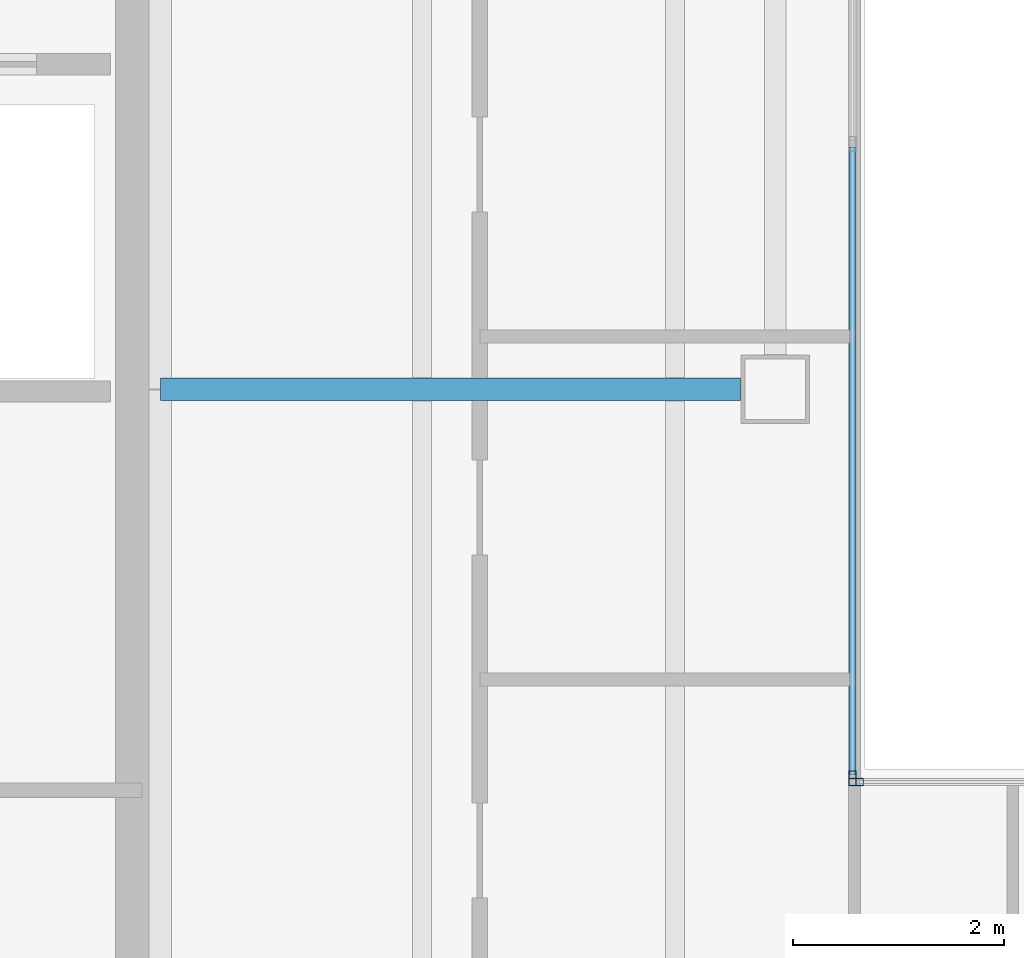
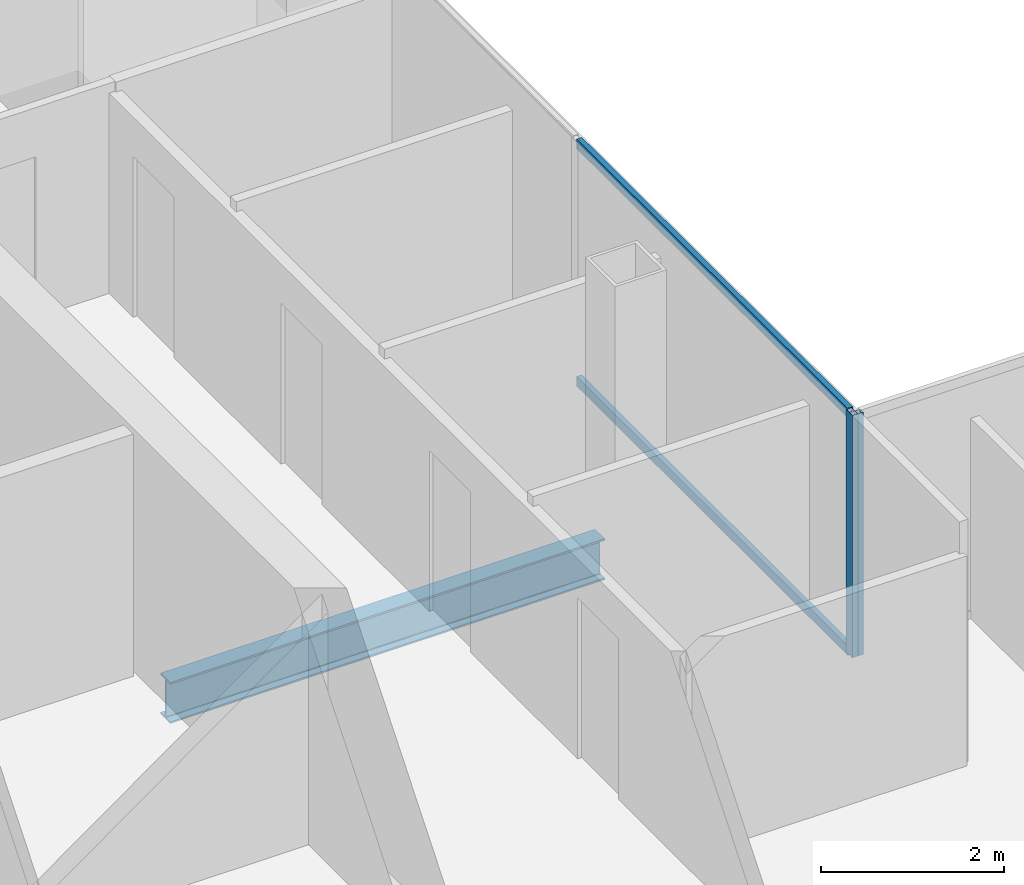
# One storey, part 8 of 23: 4 members, 1 beam, 2 elements without a shape of their own.
"""IFC4 building model written with IfcOpenShell, lengths in metres."""

from ifc_helpers import new_model, si_unit, direction, frame, origin, origin_2d, place, context, subcontext, project, spatial, hollow_rectangle, i_section, extrude, material, material_profile, profile_set, type_object, element, aggregate, save


model = new_model("IFC4")

# Units and contexts
model_context = context("Model", 3, precision=1e-05, world=origin(), true_north=direction((0.0, 1.0)))
body_context = subcontext(model_context, "Body", "Model", "MODEL_VIEW")
ifc_project = project(units=[si_unit("LENGTHUNIT", "METRE"), si_unit("AREAUNIT", "SQUARE_METRE"), si_unit("VOLUMEUNIT", "CUBIC_METRE"), si_unit("PLANEANGLEUNIT", "RADIAN"), si_unit("MASSUNIT", "GRAM", prefix="KILO")], contexts=[model_context])

# Site, building, storey
site_placement = place(None, origin())
site = spatial("IfcSite", under=ifc_project, at=site_placement, CompositionType="ELEMENT")
building_placement = place(site_placement, origin())
building = spatial("IfcBuilding", under=site, at=building_placement, Name="Cobrela Telecom Tower", CompositionType="ELEMENT")
storey_placement = place(building_placement, frame((0.0, 0.0, 286.64990234375)))
storey = spatial("IfcBuildingStorey", under=building, at=storey_placement, Name="L75", CompositionType="ELEMENT", Elevation=286.64990234375)

# Beam
ifc_material_1 = material(Name="Steel ASTM A992 Grade 50", Category="steel")
ifc_material_profile_1 = material_profile(ifc_material_1, i_section(OverallWidth=0.212890625, OverallDepth=0.549072265625, WebThickness=0.0146484375, FlangeThickness=0.023681640625, FilletRadius=0.013916015625, at=origin_2d()), Name="W21X93")
ifc_profile_set_1 = profile_set([ifc_material_profile_1], Name="Steel ASTM A992 Grade 50")
beam_type = type_object("IfcBeamType", Name="BM-GIRD-08", PredefinedType="USERDEFINED", material=ifc_profile_set_1)
beam_placement = place(storey_placement, frame((14.324951171875, 28.800048828125, -0.534423828125), z_axis=(1.0, 0.0, 0.0), x_axis=(0.0, 1.0, 0.0)))
element("IfcBeam", 1, at=beam_placement, inside=storey, type_object=beam_type, Name="L75 Primary Girder X15", ObjectType="GIRDER", PredefinedType="USERDEFINED", context=body_context, shape_type="SweptSolid", body=[
    extrude(i_section(OverallWidth=0.212890625, OverallDepth=0.549072265625, WebThickness=0.0146484375, FlangeThickness=0.023681640625, FilletRadius=0.013916015625, at=origin_2d()), origin(), (0.0, 0.0, 1.0), 5.4951171875),
])

# Curtain wall, member
ifc_material_2 = material(Name="Anodized Bronze Aluminium 6063-T6", Category="aluminium")
curtain_wall_type = type_object("IfcCurtainWallType", Name="CW-SYS-OFF-HI", PredefinedType="USERDEFINED", material=ifc_material_2)
curtain_wall_1_placement = place(storey_placement, origin())
curtain_wall_1 = element("IfcCurtainWall", 2, at=curtain_wall_1_placement, inside=storey, type_object=curtain_wall_type, Name="L75 Unitised Bronze Curtain Wall 08", ObjectType="UNITISED CURTAIN WALL", PredefinedType="USERDEFINED")
ifc_material_profile_2 = material_profile(ifc_material_2, hollow_rectangle(XDim=0.070068359375, YDim=0.139892578125, WallThickness=0.00390625, at=origin_2d()), Name="ALU 70x140x4")
ifc_profile_set_2 = profile_set([ifc_material_profile_2], Name="Anodized Bronze Aluminium 6063-T6")
member_type_1 = type_object("IfcMemberType", Name="CW-SYS-OFF-HI-MUL", PredefinedType="MULLION", material=ifc_profile_set_2)
member_1_placement = place(storey_placement, frame((20.8798828125, 25.114990234375, 0.0), z_axis=(0.0, 0.0, 1.0), x_axis=(1.0, 0.0, 0.0)))
member_1 = element("IfcMember", 3, at=member_1_placement, type_object=member_type_1, Name="CW-OFF-HI mullion 3", PredefinedType="MULLION", context=body_context, shape_type="SweptSolid", body=[
    extrude(hollow_rectangle(XDim=0.070068359375, YDim=0.139892578125, WallThickness=0.00390625, at=origin_2d()), origin(), (0.0, 0.0, 1.0), 3.239990234375),
])

curtain_wall_2_placement = place(storey_placement, origin())
curtain_wall_2 = element("IfcCurtainWall", 4, at=curtain_wall_2_placement, inside=storey, type_object=curtain_wall_type, Name="L75 Unitised Bronze Curtain Wall 09", ObjectType="UNITISED CURTAIN WALL", PredefinedType="USERDEFINED")
member_2_placement = place(storey_placement, frame((20.9150390625, 25.080078125, 0.0), z_axis=(0.0, 0.0, 1.0), x_axis=(0.0, 1.0, 0.0)))
member_2 = element("IfcMember", 5, at=member_2_placement, type_object=member_type_1, Name="CW-OFF-HI mullion 1", PredefinedType="MULLION", context=body_context, shape_type="SweptSolid", body=[
    extrude(hollow_rectangle(XDim=0.070068359375, YDim=0.139892578125, WallThickness=0.00390625, at=origin_2d()), origin(), (0.0, 0.0, 1.0), 3.239990234375),
])
aggregate(curtain_wall_2, [member_2])

# Member
ifc_material_profile_3 = material_profile(ifc_material_2, hollow_rectangle(XDim=0.06494140625, YDim=0.1298828125, WallThickness=0.00390625, at=origin_2d()), Name="ALU 65x130x4")
ifc_profile_set_3 = profile_set([ifc_material_profile_3], Name="Anodized Bronze Aluminium 6063-T6")
member_type_2 = type_object("IfcMemberType", Name="CW-SYS-OFF-HI-TRN", PredefinedType="USERDEFINED", material=ifc_profile_set_3)
member_3_placement = place(storey_placement, frame((20.8798828125, 31.090087890625, 0.03271484375), z_axis=(0.0, -1.0, 0.0), x_axis=(1.0, 0.0, 0.0)))
member_3 = element("IfcMember", 6, at=member_3_placement, type_object=member_type_2, Name="CW-OFF-HI transom 2.1", ObjectType="TRANSOM", PredefinedType="USERDEFINED", context=body_context, shape_type="SweptSolid", body=[
    extrude(hollow_rectangle(XDim=0.06494140625, YDim=0.1298828125, WallThickness=0.00390625, at=origin_2d()), origin(), (0.0, 0.0, 1.0), 5.940185546875),
])

member_4_placement = place(storey_placement, frame((20.8798828125, 31.090087890625, 3.20751953125), z_axis=(0.0, -1.0, 0.0), x_axis=(1.0, 0.0, 0.0)))
member_4 = element("IfcMember", 7, at=member_4_placement, type_object=member_type_2, Name="CW-OFF-HI transom 2.2", ObjectType="TRANSOM", PredefinedType="USERDEFINED", context=body_context, shape_type="SweptSolid", body=[
    extrude(hollow_rectangle(XDim=0.06494140625, YDim=0.1298828125, WallThickness=0.00390625, at=origin_2d()), origin(), (0.0, 0.0, 1.0), 5.940185546875),
])

aggregate(curtain_wall_1, [member_1, member_3, member_4])

save(model, "model.ifc")
